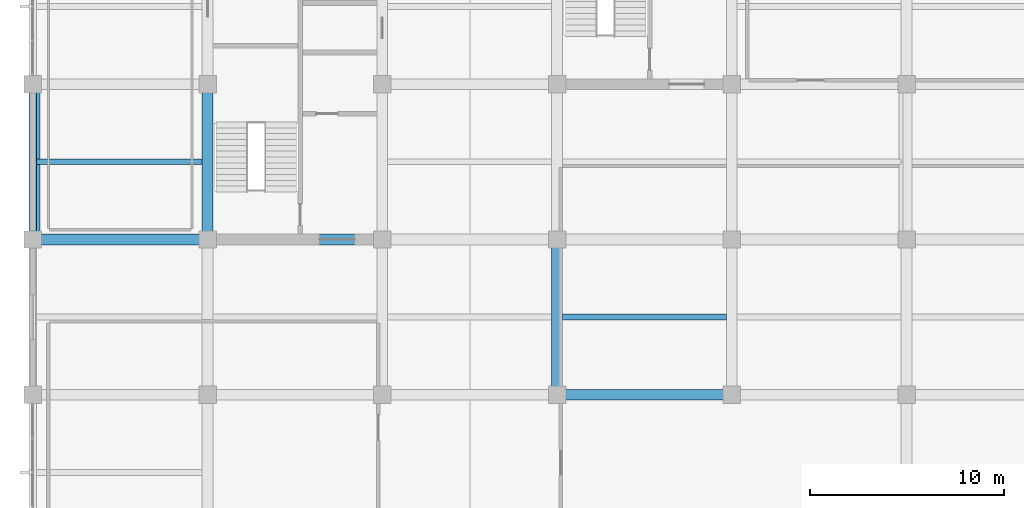
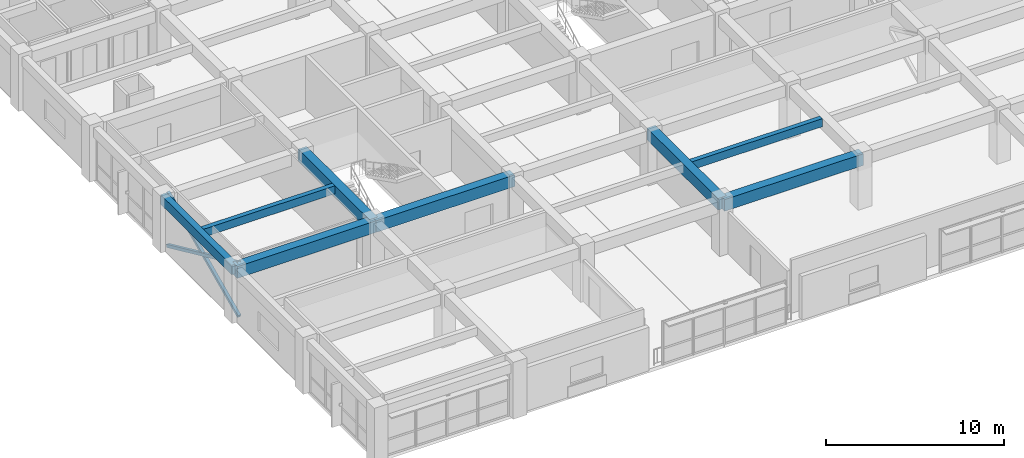
# One storey, part 3 of 16: 8 beams, 2 members.
"""IFC4 building model written with IfcOpenShell, lengths in metres."""

from ifc_helpers import new_model, si_unit, direction, frame, origin, origin_2d, place, context, subcontext, project, spatial, rectangle, hollow_rectangle, extrude, material, material_profile, profile_set, type_object, element, save


model = new_model("IFC4")

# Units and contexts
model_context = context("Model", 3, precision=1e-05, world=origin(), true_north=direction((0.0, 1.0)))
body_context = subcontext(model_context, "Body", "Model", "MODEL_VIEW")
ifc_project = project(units=[si_unit("LENGTHUNIT", "METRE"), si_unit("AREAUNIT", "SQUARE_METRE"), si_unit("VOLUMEUNIT", "CUBIC_METRE"), si_unit("PLANEANGLEUNIT", "RADIAN"), si_unit("MASSUNIT", "GRAM", prefix="KILO")], contexts=[model_context])

# Site, building, storey
site_placement = place(None, origin())
site = spatial("IfcSite", under=ifc_project, at=site_placement, CompositionType="ELEMENT")
building_placement = place(site_placement, origin())
building = spatial("IfcBuilding", under=site, at=building_placement, Name="Zaverband Oceanarium and Marine Research Institute", CompositionType="ELEMENT")
storey_placement = place(building_placement, frame((0.0, 0.0, 29.699951171875)))
storey = spatial("IfcBuildingStorey", under=building, at=storey_placement, Name="L07", CompositionType="ELEMENT", Elevation=29.699951171875)

# Beams
ifc_material_1 = material(Name="Concrete C40/50", Category="concrete")
ifc_material_profile_1 = material_profile(ifc_material_1, rectangle(XDim=0.550048828125, YDim=0.800048828125, at=origin_2d()), Name="RC550x800")
ifc_profile_set_1 = profile_set([ifc_material_profile_1], Name="Concrete C40/50")
beam_type_1 = type_object("IfcBeamType", Name="BM-550x800", PredefinedType="BEAM", material=ifc_profile_set_1)
for number, where, z_axis, x_axis, name in (
    (1, (36.0, 72.0, 3.25), (1.0, 0.0, 0.0), (0.0, 1.0, 0.0), "Primary floor girder BM-550x800"),
    (2, (9.0, 80.0, 3.25), (1.0, 0.0, 0.0), (0.0, 1.0, 0.0), "Primary floor girder BM-550x800"),
    (3, (18.0, 80.0, 3.25), (1.0, 0.0, 0.0), (0.0, 1.0, 0.0), "Primary floor girder BM-550x800"),
):
    element("IfcBeam", number, at=place(storey_placement, frame(where, z_axis=z_axis, x_axis=x_axis)), inside=storey, type_object=beam_type_1, Name=name, PredefinedType="BEAM", context=body_context, shape_type="SweptSolid", body=[
        extrude(rectangle(XDim=0.550048828125, YDim=0.800048828125, at=origin_2d()), origin(), (0.0, 0.0, 1.0), 9.0),
    ])
for number, where, z_axis, x_axis, name in (
    (4, (18.0, 80.0, 3.25), (0.0, 1.0, 0.0), (-1.0, 0.0, 0.0), "Primary floor girder BM-550x800"),
    (5, (36.0, 72.0, 3.25), (0.0, 1.0, 0.0), (-1.0, 0.0, 0.0), "Primary floor girder BM-550x800"),
):
    element("IfcBeam", number, at=place(storey_placement, frame(where, z_axis=z_axis, x_axis=x_axis)), inside=storey, type_object=beam_type_1, Name=name, PredefinedType="BEAM", context=body_context, shape_type="SweptSolid", body=[
        extrude(rectangle(XDim=0.550048828125, YDim=0.800048828125, at=origin_2d()), origin(), (0.0, 0.0, 1.0), 8.0),
    ])

# Members
ifc_material_2 = material(Name="Steel S355", Category="steel")
ifc_material_profile_2 = material_profile(ifc_material_2, hollow_rectangle(XDim=0.199951171875, YDim=0.199951171875, WallThickness=0.010009765625, at=origin_2d()), Name="SHS200x200x10")
ifc_profile_set_2 = profile_set([ifc_material_profile_2], Name="Steel S355")
member_type = type_object("IfcMemberType", Name="BR-03", PredefinedType="BRACE", material=ifc_profile_set_2)
for number, where, z_axis, x_axis, name in (
    (6, (9.280029296875, 80.0, 0.0), (0.0, 0.90977508744, 0.415101542124), (-1.0, 0.0, 0.0), "Diagonal lateral brace BR-03"),
    (7, (9.280029296875, 88.0, 0.0), (0.0, -0.90977508744, 0.415101542124), (1.0, 0.0, 0.0), "Diagonal lateral brace BR-03"),
):
    element("IfcMember", number, at=place(storey_placement, frame(where, z_axis=z_axis, x_axis=x_axis)), inside=storey, type_object=member_type, Name=name, PredefinedType="BRACE", context=body_context, shape_type="SweptSolid", body=[
        extrude(hollow_rectangle(XDim=0.199951171875, YDim=0.199951171875, WallThickness=0.010009765625, at=origin_2d()), origin(), (0.0, 0.0, 1.0), 8.79345703125),
    ])

# Beams
ifc_material_profile_3 = material_profile(ifc_material_1, rectangle(XDim=0.300048828125, YDim=0.550048828125, at=origin_2d()), Name="RC300x550")
ifc_profile_set_3 = profile_set([ifc_material_profile_3], Name="Concrete C40/50")
beam_type_2 = type_object("IfcBeamType", Name="JST-300x550", PredefinedType="JOIST", material=ifc_profile_set_3)
beam_1_placement = place(storey_placement, frame((9.199951171875, 84.0, 3.375), z_axis=(1.0, 0.0, 0.0), x_axis=(0.0, 1.0, 0.0)))
element("IfcBeam", 8, at=beam_1_placement, inside=storey, type_object=beam_type_2, Name="Secondary floor joist JST-300x550", PredefinedType="JOIST", context=body_context, shape_type="SweptSolid", body=[
    extrude(rectangle(XDim=0.300048828125, YDim=0.550048828125, at=origin_2d()), origin(), (0.0, 0.0, 1.0), 8.525146484375),
])
beam_2_placement = place(storey_placement, frame((36.27490234375, 76.0, 3.375), z_axis=(1.0, 0.0, 0.0), x_axis=(0.0, 1.0, 0.0)))
element("IfcBeam", 9, at=beam_2_placement, inside=storey, type_object=beam_type_2, Name="Secondary floor joist JST-300x550", PredefinedType="JOIST", context=body_context, shape_type="SweptSolid", body=[
    extrude(rectangle(XDim=0.300048828125, YDim=0.550048828125, at=origin_2d()), origin(), (0.0, 0.0, 1.0), 8.4501953125),
])
ifc_material_profile_4 = material_profile(ifc_material_1, rectangle(XDim=0.39990234375, YDim=0.64990234375, at=origin_2d()), Name="RC400x650")
ifc_profile_set_4 = profile_set([ifc_material_profile_4], Name="Concrete C40/50")
beam_type_3 = type_object("IfcBeamType", Name="SPN-400x650", PredefinedType="SPANDREL", material=ifc_profile_set_4)
beam_3_placement = place(storey_placement, frame((9.0, 80.0, 3.324951171875), z_axis=(0.0, 1.0, 0.0), x_axis=(-1.0, 0.0, 0.0)))
element("IfcBeam", 10, at=beam_3_placement, inside=storey, type_object=beam_type_3, Name="Perimeter spandrel beam SPN-400x650", PredefinedType="SPANDREL", context=body_context, shape_type="SweptSolid", body=[
    extrude(rectangle(XDim=0.39990234375, YDim=0.64990234375, at=origin_2d()), origin(), (0.0, 0.0, 1.0), 8.0),
])

save(model, "model.ifc")
